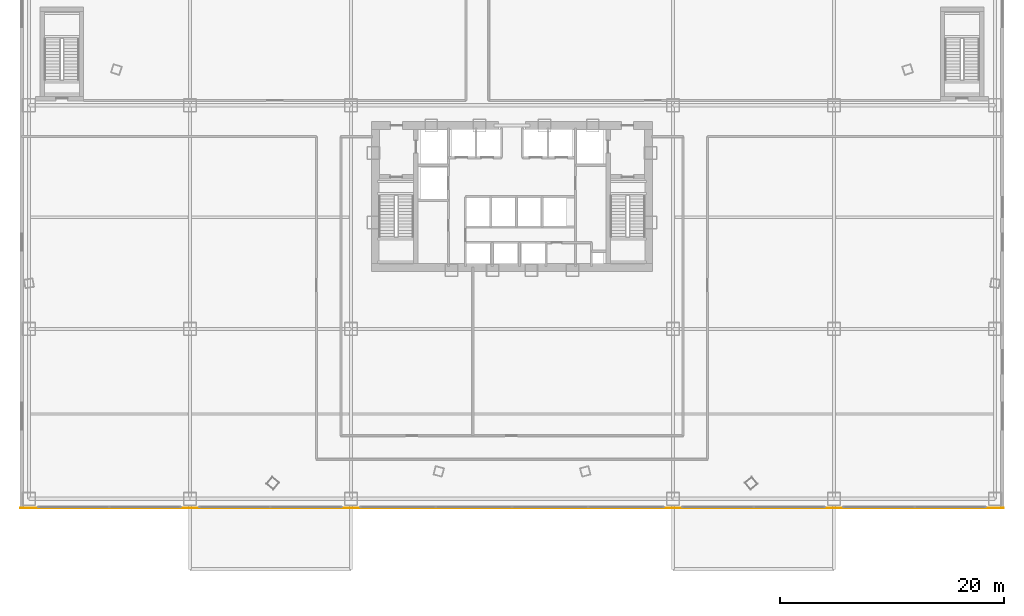
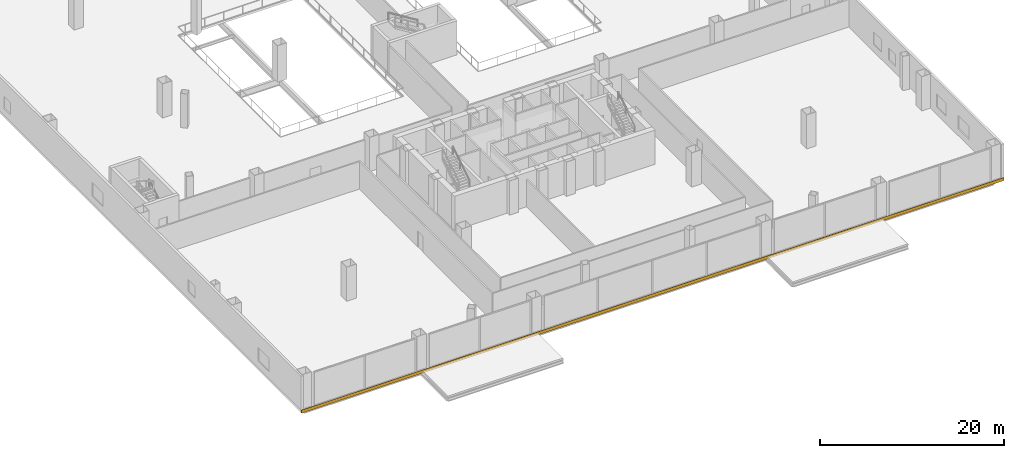
# One storey, part 37 of 42: 1 covering.
"""IFC4 building model written with IfcOpenShell, lengths in metres."""

from ifc_helpers import new_model, si_unit, direction, frame, origin, origin_2d, place, context, subcontext, project, spatial, rectangle, extrude, source, transform, mapped, material, layer, layer_set, type_object, element, save


model = new_model("IFC4")

# Units and contexts
model_context = context("Model", 3, precision=1e-05, world=origin(), true_north=direction((0.0, 1.0)))
body_context = subcontext(model_context, "Body", "Model", "MODEL_VIEW")
ifc_project = project(units=[si_unit("LENGTHUNIT", "METRE"), si_unit("AREAUNIT", "SQUARE_METRE"), si_unit("VOLUMEUNIT", "CUBIC_METRE"), si_unit("PLANEANGLEUNIT", "RADIAN"), si_unit("MASSUNIT", "GRAM", prefix="KILO"), si_unit("THERMODYNAMICTEMPERATUREUNIT", "KELVIN"), si_unit("POWERUNIT", "WATT")], contexts=[model_context])

# Site, building, storey
site_placement = place(None, origin())
site = spatial("IfcSite", under=ifc_project, at=site_placement, CompositionType="ELEMENT")
building_placement = place(site_placement, origin())
building = spatial("IfcBuilding", under=site, at=building_placement, Name="Yunzhuo Pagoda Commons", CompositionType="ELEMENT")
storey_placement = place(building_placement, frame((0.0, 0.0, 4.800048828125)))
storey = spatial("IfcBuildingStorey", under=building, at=storey_placement, Name="L02", CompositionType="ELEMENT", Elevation=4.800048828125)

# Covering
ifc_material = material(Name="Anodized aluminium 6063-T6", Category="aluminium")
ifc_layer = layer(ifc_material, 0.0400390625)
ifc_layer_set = layer_set([ifc_layer], Name="Anodized aluminium 6063-T6")
covering_type = type_object("IfcCoveringType", Name="COV-CLD1 Anodized Podium Fascia Cladding", PredefinedType="CLADDING", material=ifc_layer_set)
shared_shape = source(origin(), body_context, "Body", "SweptSolid", [
    extrude(rectangle(XDim=88.0, YDim=0.0400390625, at=origin_2d()), origin(), (0.0, 0.0, 1.0), 0.39990234375),
])
covering_placement = place(storey_placement, frame((48.0, 5.97998046875, -0.340087890625), z_axis=(0.0, 0.0, 1.0), x_axis=(1.0, 0.0, 0.0)))
element("IfcCovering", 1, at=covering_placement, inside=storey, type_object=covering_type, Name="L02 south podium fascia cladding", PredefinedType="CLADDING", context=body_context, shape_type="MappedRepresentation", body=[
    mapped(shared_shape, transform((0.0, 0.0, 0.0), scale=1.0)),
])

save(model, "model.ifc")
